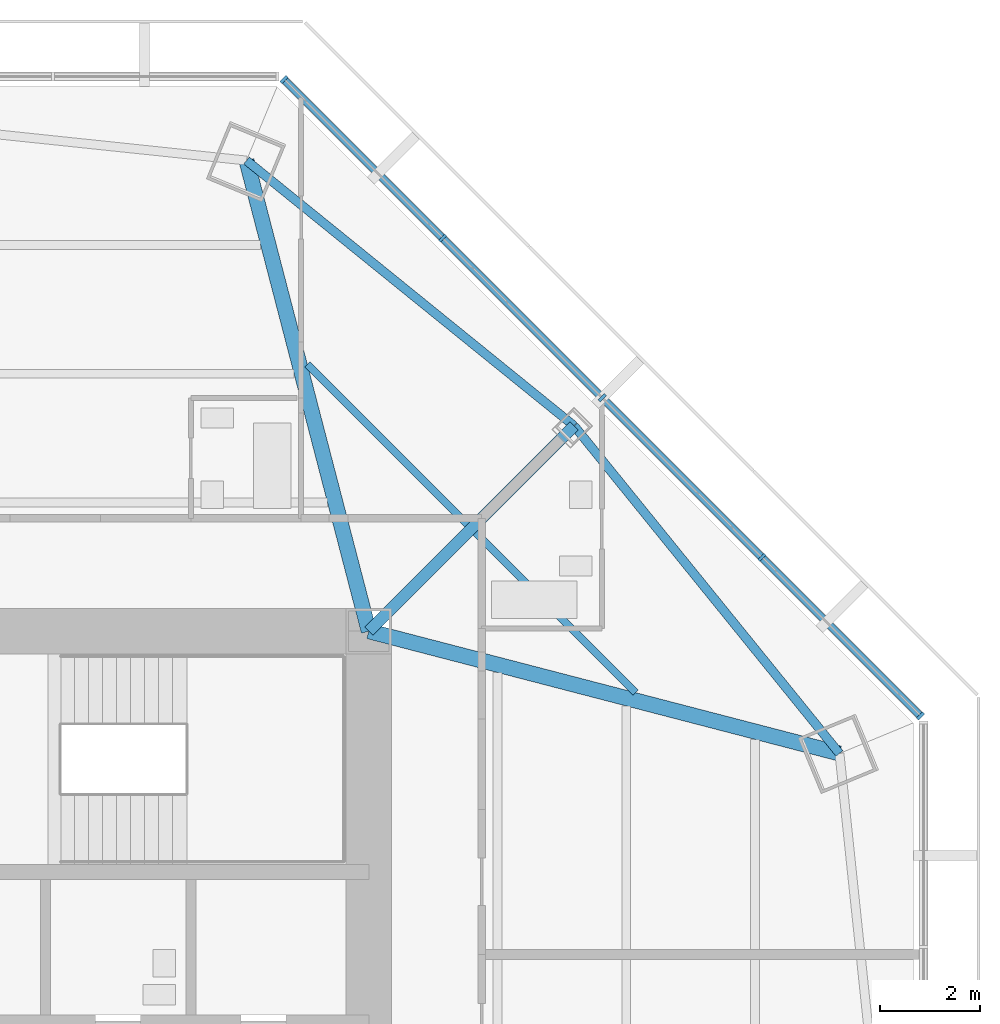
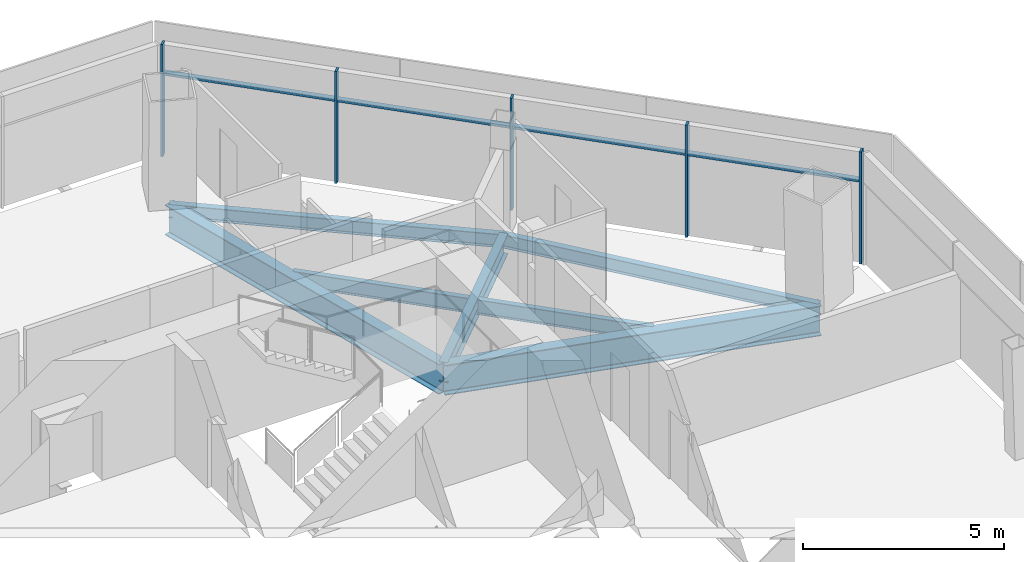
# One storey, part 6 of 16: 9 members, 7 beams, 1 element without a shape of its own.
"""IFC4 building model written with IfcOpenShell, lengths in metres."""

from ifc_helpers import new_model, si_unit, direction, frame, origin, origin_2d, place, context, subcontext, project, spatial, rectangle, i_section, extrude, source, transform, mapped, material, material_profile, profile_set, type_object, type_shapes, element, aggregate, save


model = new_model("IFC4")

# Units and contexts
model_context = context("Model", 3, precision=1e-05, world=origin(), true_north=direction((0.0, 1.0)))
body_context = subcontext(model_context, "Body", "Model", "MODEL_VIEW")
ifc_project = project(units=[si_unit("LENGTHUNIT", "METRE"), si_unit("AREAUNIT", "SQUARE_METRE"), si_unit("VOLUMEUNIT", "CUBIC_METRE"), si_unit("PLANEANGLEUNIT", "RADIAN"), si_unit("MASSUNIT", "GRAM", prefix="KILO")], contexts=[model_context])

# Site, building, storey
site_placement = place(None, origin())
site = spatial("IfcSite", under=ifc_project, at=site_placement, CompositionType="ELEMENT")
building_placement = place(site_placement, origin())
building = spatial("IfcBuilding", under=site, at=building_placement, Name="Mashrafa Tower", CompositionType="ELEMENT")
storey_placement = place(building_placement, frame((0.0, 0.0, 217.60009765625)))
storey = spatial("IfcBuildingStorey", under=building, at=storey_placement, Name="L50", CompositionType="ELEMENT", Elevation=217.60009765625)

# Beams
ifc_material_1 = material(Name="Steel ASTM A992", Category="steel")
ifc_material_profile_1 = material_profile(ifc_material_1, i_section(OverallWidth=0.177734375, OverallDepth=0.406494140625, WebThickness=0.0078125, FlangeThickness=0.012939453125, FilletRadius=0.01025390625, at=origin_2d()), Name="W16X40")
ifc_profile_set_1 = profile_set([ifc_material_profile_1], Name="Steel ASTM A992")
beam_type_1 = type_object("IfcBeamType", Name="Beam W16X40", PredefinedType="BEAM", material=ifc_profile_set_1)
for number, where, z_axis, x_axis, name in (
    (1, (14.89501953125, 14.89501953125, -0.4033203125), (-0.777098105922, 0.62937948312, 0.0), (-0.62937948312, -0.777098105922, 0.0), "Spandrel beam L50 061"),
    (2, (20.1865234375, 8.361572265625, -0.4033203125), (-0.62937948312, 0.777098105922, 0.0), (-0.777098105922, -0.62937948312, 0.0), "Spandrel beam L50 063"),
):
    element("IfcBeam", number, at=place(storey_placement, frame(where, z_axis=z_axis, x_axis=x_axis)), inside=storey, type_object=beam_type_1, Name=name, PredefinedType="BEAM", context=body_context, shape_type="SweptSolid", body=[
        extrude(i_section(OverallWidth=0.177734375, OverallDepth=0.406494140625, WebThickness=0.0078125, FlangeThickness=0.012939453125, FilletRadius=0.01025390625, at=origin_2d()), origin(), (0.0, 0.0, 1.0), 8.407470703125),
    ])
ifc_material_2 = material(Name="Steel ASTM A992", Category="steel")
ifc_material_profile_2 = material_profile(ifc_material_2, i_section(OverallWidth=0.15234375, OverallDepth=0.449462890625, WebThickness=0.007568359375, FlangeThickness=0.0107421875, FilletRadius=0.01025390625, at=origin_2d()), Name="W18X35")
ifc_profile_set_2 = profile_set([ifc_material_profile_2], Name="Steel ASTM A992")
beam_type_2 = type_object("IfcBeamType", Name="Beam W18X35", PredefinedType="BEAM", material=ifc_profile_set_2)
for number, where, z_axis, x_axis, name in (
    (3, (9.57568359375, 16.119384765625, -0.4248046875), (0.707106781187, -0.707106781187, 0.0), (0.707106781187, 0.707106781187, 0.0), "Floor beam L50 021"),
    (4, (12.928466796875, 12.7666015625, -0.4248046875), (0.707106781187, -0.707106781187, 0.0), (0.707106781187, 0.707106781187, 0.0), "Floor beam L50 025"),
):
    element("IfcBeam", number, at=place(storey_placement, frame(where, z_axis=z_axis, x_axis=x_axis)), inside=storey, type_object=beam_type_2, Name=name, PredefinedType="BEAM", context=body_context, shape_type="SweptSolid", body=[
        extrude(i_section(OverallWidth=0.15234375, OverallDepth=0.449462890625, WebThickness=0.007568359375, FlangeThickness=0.0107421875, FilletRadius=0.01025390625, at=origin_2d()), origin(), (0.0, 0.0, 1.0), 4.5126953125),
    ])
ifc_material_3 = material(Name="Steel ASTM A992", Category="steel")
ifc_material_profile_3 = material_profile(ifc_material_3, i_section(OverallWidth=0.22900390625, OverallDepth=0.612060546875, WebThickness=0.011962890625, FlangeThickness=0.01953125, FilletRadius=0.0126953125, at=origin_2d()), Name="W24X84")
ifc_profile_set_3 = profile_set([ifc_material_profile_3], Name="Steel ASTM A992")
beam_type_3 = type_object("IfcBeamType", Name="Beam W24X84", PredefinedType="BEAM", material=ifc_profile_set_3)
beam_placement = place(storey_placement, frame((10.800048828125, 10.800048828125, -0.506103515625), z_axis=(0.707106781187, 0.707106781187, 0.0), x_axis=(-0.707106781187, 0.707106781187, 0.0)))
element("IfcBeam", 5, at=beam_placement, inside=storey, type_object=beam_type_3, Name="Radial girder L50 047", PredefinedType="BEAM", context=body_context, shape_type="SweptSolid", body=[
    extrude(i_section(OverallWidth=0.22900390625, OverallDepth=0.612060546875, WebThickness=0.011962890625, FlangeThickness=0.01953125, FilletRadius=0.0126953125, at=origin_2d()), origin(), (0.0, 0.0, 1.0), 5.791259765625),
])
ifc_material_4 = material(Name="Steel ASTM A992", Category="steel")
ifc_material_profile_4 = material_profile(ifc_material_4, i_section(OverallWidth=0.3046875, OverallDepth=0.911865234375, WebThickness=0.015869140625, FlangeThickness=0.02392578125, FilletRadius=0.01904296875, at=origin_2d()), Name="W36X150")
ifc_profile_set_4 = profile_set([ifc_material_profile_4], Name="Steel ASTM A992")
beam_type_4 = type_object("IfcBeamType", Name="Beam W36X150", PredefinedType="BEAM", material=ifc_profile_set_4)
for number, where, z_axis, x_axis, name in (
    (6, (10.800048828125, 10.800048828125, -0.656005859375), (-0.251440017557, 0.967872882961, 0.0), (-0.967872882961, -0.251440017557, 0.0), "Radial girder L50 046"),
    (7, (10.800048828125, 10.800048828125, -0.656005859375), (0.967872882961, -0.251440017557, 0.0), (0.251440017557, 0.967872882961, 0.0), "Radial girder L50 048"),
):
    element("IfcBeam", number, at=place(storey_placement, frame(where, z_axis=z_axis, x_axis=x_axis)), inside=storey, type_object=beam_type_4, Name=name, PredefinedType="BEAM", context=body_context, shape_type="SweptSolid", body=[
        extrude(i_section(OverallWidth=0.3046875, OverallDepth=0.911865234375, WebThickness=0.015869140625, FlangeThickness=0.02392578125, FilletRadius=0.01904296875, at=origin_2d()), origin(), (0.0, 0.0, 1.0), 9.697998046875),
    ])

# Curtain wall, members
ifc_material_5 = material(Name="Unitised aluminium curtain wall", Category="aluminium")
curtain_wall_type = type_object("IfcCurtainWallType", Name="Apartment curtain wall, zone 3 CW-C 180 deep", PredefinedType="NOTDEFINED", material=ifc_material_5)
curtain_wall_placement = place(storey_placement, origin())
curtain_wall = element("IfcCurtainWall", 8, at=curtain_wall_placement, inside=storey, type_object=curtain_wall_type, Name="Apartment curtain wall, zone 3 L50 north-east", PredefinedType="NOTDEFINED")
ifc_material_6 = material(Name="Extruded aluminium mullion", Category="aluminium")
ifc_material_profile_5 = material_profile(ifc_material_6, rectangle(XDim=0.179931640625, YDim=0.06005859375, at=origin_2d()), Name="Mullion 60x180")
ifc_profile_set_5 = profile_set([ifc_material_profile_5], Name="Extruded aluminium mullion")
member_type_1 = type_object("IfcMemberType", Name="Mullion CW-C 60 x 180", PredefinedType="MULLION", material=ifc_profile_set_5)
shared_shape_1 = source(origin(), body_context, "Body", "SweptSolid", [
    extrude(rectangle(XDim=0.179931640625, YDim=0.06005859375, at=origin_2d()), origin(), (0.0, 0.0, 1.0), 3.39990234375),
])
type_shapes(member_type_1, [shared_shape_1])
member_1_placement = place(storey_placement, frame((21.804443359375, 9.10888671875, 0.0), z_axis=(0.0, 0.0, 1.0), x_axis=(-0.707106781187, -0.707106781187, 0.0)))
member_1 = element("IfcMember", 9, at=member_1_placement, type_object=member_type_1, Name="CW-C mullion 1", PredefinedType="MULLION", context=body_context, shape_type="MappedRepresentation", body=[
    mapped(shared_shape_1, transform((0.0, 0.0, 0.0))),
])
member_2_placement = place(storey_placement, frame((18.64111328125, 12.272216796875, 0.0), z_axis=(0.0, 0.0, 1.0), x_axis=(-0.707106781187, -0.707106781187, 0.0)))
member_2 = element("IfcMember", 10, at=member_2_placement, type_object=member_type_1, Name="CW-C mullion 2", PredefinedType="MULLION", context=body_context, shape_type="MappedRepresentation", body=[
    mapped(shared_shape_1, transform((0.0, 0.0, 0.0))),
])
member_3_placement = place(storey_placement, frame((15.456787109375, 15.456787109375, 0.0), z_axis=(0.0, 0.0, 1.0), x_axis=(-0.707106781187, -0.707106781187, 0.0)))
member_3 = element("IfcMember", 11, at=member_3_placement, type_object=member_type_1, Name="CW-C mullion 3", PredefinedType="MULLION", context=body_context, shape_type="MappedRepresentation", body=[
    mapped(shared_shape_1, transform((0.0, 0.0, 0.0))),
])
member_4_placement = place(storey_placement, frame((12.272216796875, 18.64111328125, 0.0), z_axis=(0.0, 0.0, 1.0), x_axis=(-0.707106781187, -0.707106781187, 0.0)))
member_4 = element("IfcMember", 12, at=member_4_placement, type_object=member_type_1, Name="CW-C mullion 4", PredefinedType="MULLION", context=body_context, shape_type="MappedRepresentation", body=[
    mapped(shared_shape_1, transform((0.0, 0.0, 0.0))),
])
member_5_placement = place(storey_placement, frame((9.10888671875, 21.804443359375, 0.0), z_axis=(0.0, 0.0, 1.0), x_axis=(-0.707106781187, -0.707106781187, 0.0)))
member_5 = element("IfcMember", 13, at=member_5_placement, type_object=member_type_1, Name="CW-C mullion 5", PredefinedType="MULLION", context=body_context, shape_type="MappedRepresentation", body=[
    mapped(shared_shape_1, transform((0.0, 0.0, 0.0))),
])
ifc_material_7 = material(Name="Extruded aluminium transom", Category="aluminium")
ifc_material_profile_6 = material_profile(ifc_material_7, rectangle(XDim=0.14404296875, YDim=0.074951171875, at=origin_2d()), Name="Transom 75x144")
ifc_profile_set_6 = profile_set([ifc_material_profile_6], Name="Extruded aluminium transom")
member_type_2 = type_object("IfcMemberType", Name="Transom CW-C 75 x 144", PredefinedType="MULLION", material=ifc_profile_set_6)
shared_shape_2 = source(origin(), body_context, "Body", "SweptSolid", [
    extrude(rectangle(XDim=0.14404296875, YDim=0.074951171875, at=origin_2d()), origin(), (0.0, 0.0, 1.0), 4.41357421875),
])
member_6_placement = place(storey_placement, frame((21.783203125, 9.130126953125, 2.5), z_axis=(-0.707106781187, 0.707106781187, 0.0), x_axis=(-0.707106781187, -0.707106781187, 0.0)))
member_6 = element("IfcMember", 14, at=member_6_placement, type_object=member_type_2, Name="CW-C transom 1", PredefinedType="MULLION", context=body_context, shape_type="MappedRepresentation", body=[
    mapped(shared_shape_2, transform((0.0, 0.0, 0.0))),
])
member_7_placement = place(storey_placement, frame((12.2509765625, 18.662353515625, 2.5), z_axis=(-0.707106781187, 0.707106781187, 0.0), x_axis=(-0.707106781187, -0.707106781187, 0.0)))
member_7 = element("IfcMember", 15, at=member_7_placement, type_object=member_type_2, Name="CW-C transom 4", PredefinedType="MULLION", context=body_context, shape_type="MappedRepresentation", body=[
    mapped(shared_shape_2, transform((0.0, 0.0, 0.0))),
])
shared_shape_3 = source(origin(), body_context, "Body", "SweptSolid", [
    extrude(rectangle(XDim=0.14404296875, YDim=0.074951171875, at=origin_2d()), origin(), (0.0, 0.0, 1.0), 4.443603515625),
])
type_shapes(member_type_2, [shared_shape_2, shared_shape_3])
member_8_placement = place(storey_placement, frame((18.6201171875, 12.29345703125, 2.5), z_axis=(-0.707106781187, 0.707106781187, 0.0), x_axis=(-0.707106781187, -0.707106781187, 0.0)))
member_8 = element("IfcMember", 16, at=member_8_placement, type_object=member_type_2, Name="CW-C transom 2", PredefinedType="MULLION", context=body_context, shape_type="MappedRepresentation", body=[
    mapped(shared_shape_3, transform((0.0, 0.0, 0.0))),
])
member_9_placement = place(storey_placement, frame((15.435546875, 15.47802734375, 2.5), z_axis=(-0.707106781187, 0.707106781187, 0.0), x_axis=(-0.707106781187, -0.707106781187, 0.0)))
member_9 = element("IfcMember", 17, at=member_9_placement, type_object=member_type_2, Name="CW-C transom 3", PredefinedType="MULLION", context=body_context, shape_type="MappedRepresentation", body=[
    mapped(shared_shape_3, transform((0.0, 0.0, 0.0))),
])
aggregate(curtain_wall, [member_1, member_2, member_3, member_4, member_5, member_6, member_8, member_9, member_7])

save(model, "model.ifc")
